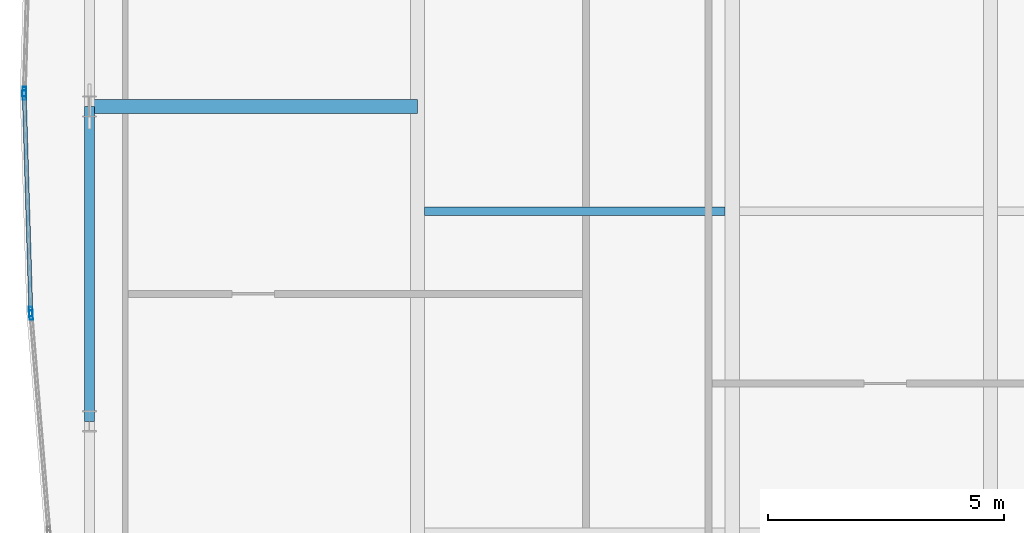
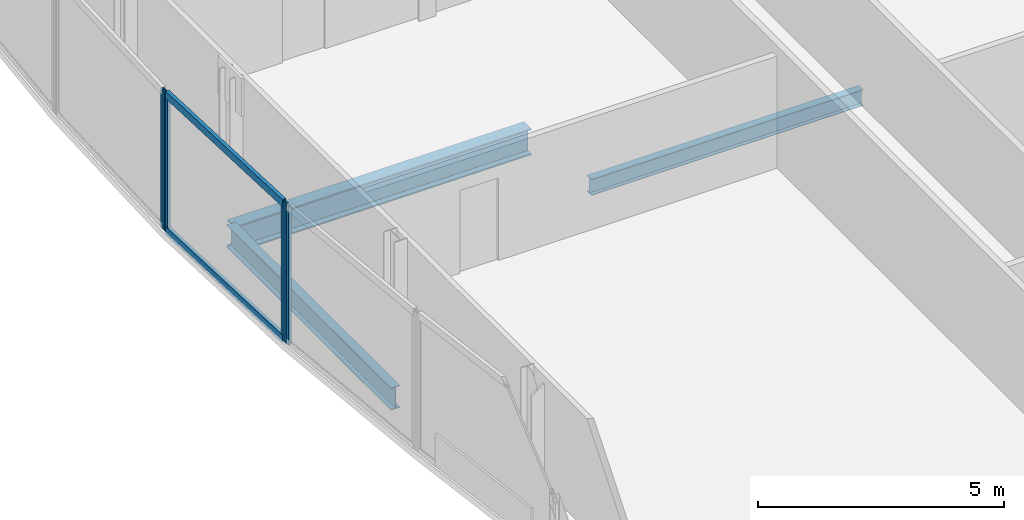
# One storey, part 8 of 25: 6 members, 3 beams, 3 elements without a shape of their own.
"""IFC4 building model written with IfcOpenShell, lengths in metres."""

from ifc_helpers import new_model, si_unit, direction, frame, origin, origin_2d, place, context, subcontext, project, spatial, hollow_rectangle, i_section, extrude, material, material_profile, profile_set, type_object, element, aggregate, save


model = new_model("IFC4")

# Units and contexts
model_context = context("Model", 3, precision=1e-05, world=origin(), true_north=direction((0.0, 1.0)))
body_context = subcontext(model_context, "Body", "Model", "MODEL_VIEW")
ifc_project = project(units=[si_unit("LENGTHUNIT", "METRE"), si_unit("AREAUNIT", "SQUARE_METRE"), si_unit("VOLUMEUNIT", "CUBIC_METRE"), si_unit("PLANEANGLEUNIT", "RADIAN"), si_unit("MASSUNIT", "GRAM", prefix="KILO")], contexts=[model_context])

# Site, building, storey
site_placement = place(None, origin())
site = spatial("IfcSite", under=ifc_project, at=site_placement, CompositionType="ELEMENT")
building_placement = place(site_placement, origin())
building = spatial("IfcBuilding", under=site, at=building_placement, Name="Khoronbel Lancet Exchange", CompositionType="ELEMENT")
storey_placement = place(building_placement, frame((0.0, 0.0, 298.60009765625)))
storey = spatial("IfcBuildingStorey", under=building, at=storey_placement, Name="L77", CompositionType="ELEMENT", Elevation=298.60009765625)

# Beams
ifc_material_1 = material(Name="Steel S355", Category="steel")
ifc_material_profile_1 = material_profile(ifc_material_1, i_section(OverallWidth=0.300048828125, OverallDepth=0.64990234375, WebThickness=0.01611328125, FlangeThickness=0.031005859375, at=origin_2d()), Name="HEB 650")
ifc_profile_set_1 = profile_set([ifc_material_profile_1], Name="Steel S355")
beam_type_1 = type_object("IfcBeamType", Name="BM-BG4", PredefinedType="BEAM", material=ifc_profile_set_1)
beam_1_placement = place(storey_placement, frame((11.27001953125, 31.425048828125, -0.485107421875), z_axis=(1.0, 0.0, 0.0), x_axis=(0.0, 1.0, 0.0)))
element("IfcBeam", 1, at=beam_1_placement, inside=storey, type_object=beam_type_1, Name="Level L77 west lens tie girder LG2W", PredefinedType="BEAM", context=body_context, shape_type="SweptSolid", body=[
    extrude(i_section(OverallWidth=0.300048828125, OverallDepth=0.64990234375, WebThickness=0.01611328125, FlangeThickness=0.031005859375, at=origin_2d()), origin(), (0.0, 0.0, 1.0), 6.955078125),
])
ifc_material_profile_2 = material_profile(ifc_material_1, i_section(OverallWidth=0.179931640625, OverallDepth=0.39990234375, WebThickness=0.008544921875, FlangeThickness=0.013427734375, at=origin_2d()), Name="IPE 400")
ifc_profile_set_2 = profile_set([ifc_material_profile_2], Name="Steel S355")
beam_type_2 = type_object("IfcBeamType", Name="BM-BJ5", PredefinedType="JOIST", material=ifc_profile_set_2)
beam_2_placement = place(storey_placement, frame((18.375, 29.199951171875, -0.360107421875), z_axis=(1.0, 0.0, 0.0), x_axis=(0.0, 1.0, 0.0)))
element("IfcBeam", 2, at=beam_2_placement, inside=storey, type_object=beam_type_2, Name="Level L77 secondary composite joist J11", PredefinedType="JOIST", context=body_context, shape_type="SweptSolid", body=[
    extrude(i_section(OverallWidth=0.179931640625, OverallDepth=0.39990234375, WebThickness=0.008544921875, FlangeThickness=0.013427734375, at=origin_2d()), origin(), (0.0, 0.0, 1.0), 6.375),
])
ifc_material_profile_3 = material_profile(ifc_material_1, i_section(OverallWidth=0.2099609375, OverallDepth=0.550048828125, WebThickness=0.010986328125, FlangeThickness=0.01708984375, at=origin_2d()), Name="IPE 550")
ifc_profile_set_3 = profile_set([ifc_material_profile_3], Name="Steel S355")
beam_type_3 = type_object("IfcBeamType", Name="BM-BSP3", PredefinedType="SPANDREL", material=ifc_profile_set_3)
beam_3_placement = place(storey_placement, frame((11.27001953125, 31.425048828125, -0.43505859375), z_axis=(0.0, -1.0, 0.0), x_axis=(1.0, 0.0, 0.0)))
element("IfcBeam", 3, at=beam_3_placement, inside=storey, type_object=beam_type_3, Name="Level L77 perimeter spandrel beam SP19", PredefinedType="SPANDREL", context=body_context, shape_type="SweptSolid", body=[
    extrude(i_section(OverallWidth=0.2099609375, OverallDepth=0.550048828125, WebThickness=0.010986328125, FlangeThickness=0.01708984375, at=origin_2d()), origin(), (0.0, 0.0, 1.0), 6.675048828125),
])

# Curtain wall, member
ifc_material_2 = material(Name="Low-E Solar Control Insulating Glass", Category="glass")
curtain_wall_type = type_object("IfcCurtainWallType", Name="CW-4", PredefinedType="NOTDEFINED", material=ifc_material_2)
curtain_wall_1_placement = place(storey_placement, origin())
curtain_wall_1 = element("IfcCurtainWall", 4, at=curtain_wall_1_placement, inside=storey, type_object=curtain_wall_type, Name="Unitised curtain wall CW-L77-E05", PredefinedType="NOTDEFINED")
ifc_material_3 = material(Name="Bronze-Anodised Aluminium 6063-T6", Category="aluminium")
ifc_material_profile_4 = material_profile(ifc_material_3, hollow_rectangle(XDim=0.074951171875, YDim=0.199951171875, WallThickness=0.0048828125, at=origin_2d()), Name="ALU MULLION 75x200")
ifc_profile_set_4 = profile_set([ifc_material_profile_4], Name="Bronze-Anodised Aluminium 6063-T6")
member_type_1 = type_object("IfcMemberType", Name="MEM-CWM2", PredefinedType="MULLION", material=ifc_profile_set_4)
member_1_placement = place(storey_placement, frame((10.03369140625, 27.0009765625, 0.0), z_axis=(0.0, 0.0, 1.0), x_axis=(-0.996626353667, -0.082072596992, 0.0)))
member_1 = element("IfcMember", 5, at=member_1_placement, type_object=member_type_1, Name="CW4 mullion 2", PredefinedType="MULLION", context=body_context, shape_type="SweptSolid", body=[
    extrude(hollow_rectangle(XDim=0.074951171875, YDim=0.199951171875, WallThickness=0.0048828125, at=origin_2d()), origin(), (0.0, 0.0, 1.0), 3.43994140625),
])
aggregate(curtain_wall_1, [member_1])

# Curtain wall, members
curtain_wall_2_placement = place(storey_placement, origin())
curtain_wall_2 = element("IfcCurtainWall", 6, at=curtain_wall_2_placement, inside=storey, type_object=curtain_wall_type, Name="Unitised curtain wall CW-L77-E06", PredefinedType="NOTDEFINED")
member_2_placement = place(storey_placement, frame((10.029541015625, 27.075927734375, 0.0), z_axis=(0.0, 0.0, 1.0), x_axis=(-0.999545457549, -0.030147608411, 0.0)))
member_2 = element("IfcMember", 7, at=member_2_placement, type_object=member_type_1, Name="CW4 mullion 1", PredefinedType="MULLION", context=body_context, shape_type="SweptSolid", body=[
    extrude(hollow_rectangle(XDim=0.074951171875, YDim=0.199951171875, WallThickness=0.0048828125, at=origin_2d()), origin(), (0.0, 0.0, 1.0), 3.43994140625),
])
member_3_placement = place(storey_placement, frame((9.89111328125, 31.66259765625, 0.0), z_axis=(0.0, 0.0, 1.0), x_axis=(-0.999545457549, -0.030147608411, 0.0)))
member_3 = element("IfcMember", 8, at=member_3_placement, type_object=member_type_1, Name="CW4 mullion 2", PredefinedType="MULLION", context=body_context, shape_type="SweptSolid", body=[
    extrude(hollow_rectangle(XDim=0.074951171875, YDim=0.199951171875, WallThickness=0.0048828125, at=origin_2d()), origin(), (0.0, 0.0, 1.0), 3.43994140625),
])

# Curtain wall, member
curtain_wall_3_placement = place(storey_placement, origin())
curtain_wall_3 = element("IfcCurtainWall", 9, at=curtain_wall_3_placement, inside=storey, type_object=curtain_wall_type, Name="Unitised curtain wall CW-L77-E07", PredefinedType="NOTDEFINED")
member_4_placement = place(storey_placement, frame((9.89111328125, 31.737548828125, 0.0), z_axis=(0.0, 0.0, 1.0), x_axis=(-0.999545457549, 0.030147608411, 0.0)))
member_4 = element("IfcMember", 10, at=member_4_placement, type_object=member_type_1, Name="CW4 mullion 1", PredefinedType="MULLION", context=body_context, shape_type="SweptSolid", body=[
    extrude(hollow_rectangle(XDim=0.074951171875, YDim=0.199951171875, WallThickness=0.0048828125, at=origin_2d()), origin(), (0.0, 0.0, 1.0), 3.43994140625),
])
aggregate(curtain_wall_3, [member_4])

# Member
ifc_material_profile_5 = material_profile(ifc_material_3, hollow_rectangle(XDim=0.0849609375, YDim=0.179931640625, WallThickness=0.0048828125, at=origin_2d()), Name="ALU TRANSOM 85x180")
ifc_profile_set_5 = profile_set([ifc_material_profile_5], Name="Bronze-Anodised Aluminium 6063-T6")
member_type_2 = type_object("IfcMemberType", Name="MEM-CWT1", PredefinedType="USERDEFINED", material=ifc_profile_set_5)
member_5_placement = place(storey_placement, frame((10.0283203125, 27.11328125, 0.04248046875), z_axis=(-0.030127011135, 0.999546078578, 0.0), x_axis=(-0.999546078578, -0.030127011135, 0.0)))
member_5 = element("IfcMember", 11, at=member_5_placement, type_object=member_type_2, Name="CW4 transom 1.1", ObjectType="TRANSOM", PredefinedType="USERDEFINED", context=body_context, shape_type="SweptSolid", body=[
    extrude(hollow_rectangle(XDim=0.0849609375, YDim=0.179931640625, WallThickness=0.0048828125, at=origin_2d()), origin(), (0.0, 0.0, 1.0), 4.513671875),
])

member_6_placement = place(storey_placement, frame((10.0283203125, 27.11328125, 3.3974609375), z_axis=(-0.030127011135, 0.999546078578, 0.0), x_axis=(-0.999546078578, -0.030127011135, 0.0)))
member_6 = element("IfcMember", 12, at=member_6_placement, type_object=member_type_2, Name="CW4 transom 1.2", ObjectType="TRANSOM", PredefinedType="USERDEFINED", context=body_context, shape_type="SweptSolid", body=[
    extrude(hollow_rectangle(XDim=0.0849609375, YDim=0.179931640625, WallThickness=0.0048828125, at=origin_2d()), origin(), (0.0, 0.0, 1.0), 4.513671875),
])

aggregate(curtain_wall_2, [member_2, member_3, member_5, member_6])

save(model, "model.ifc")
